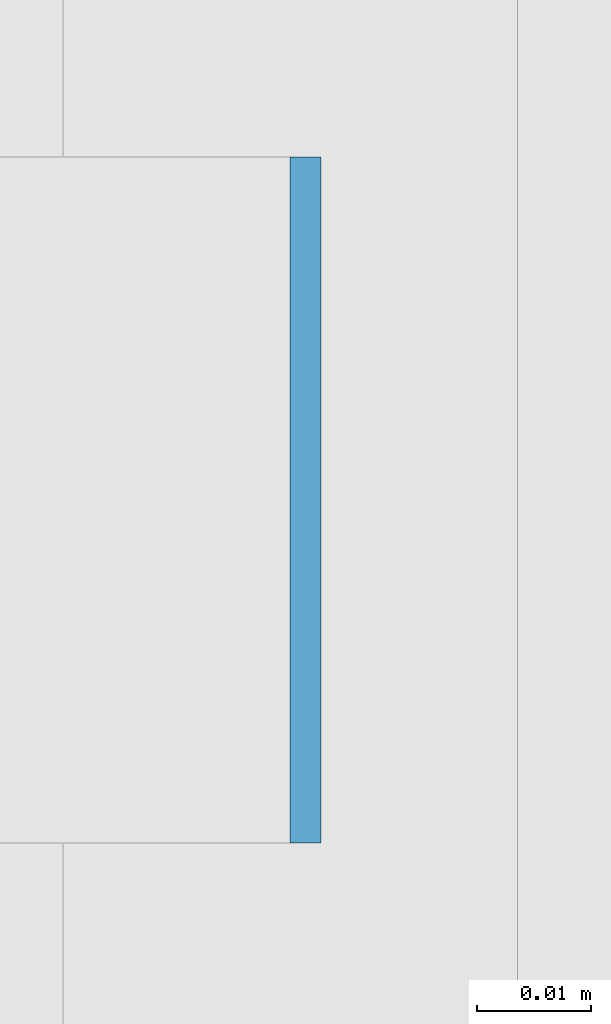
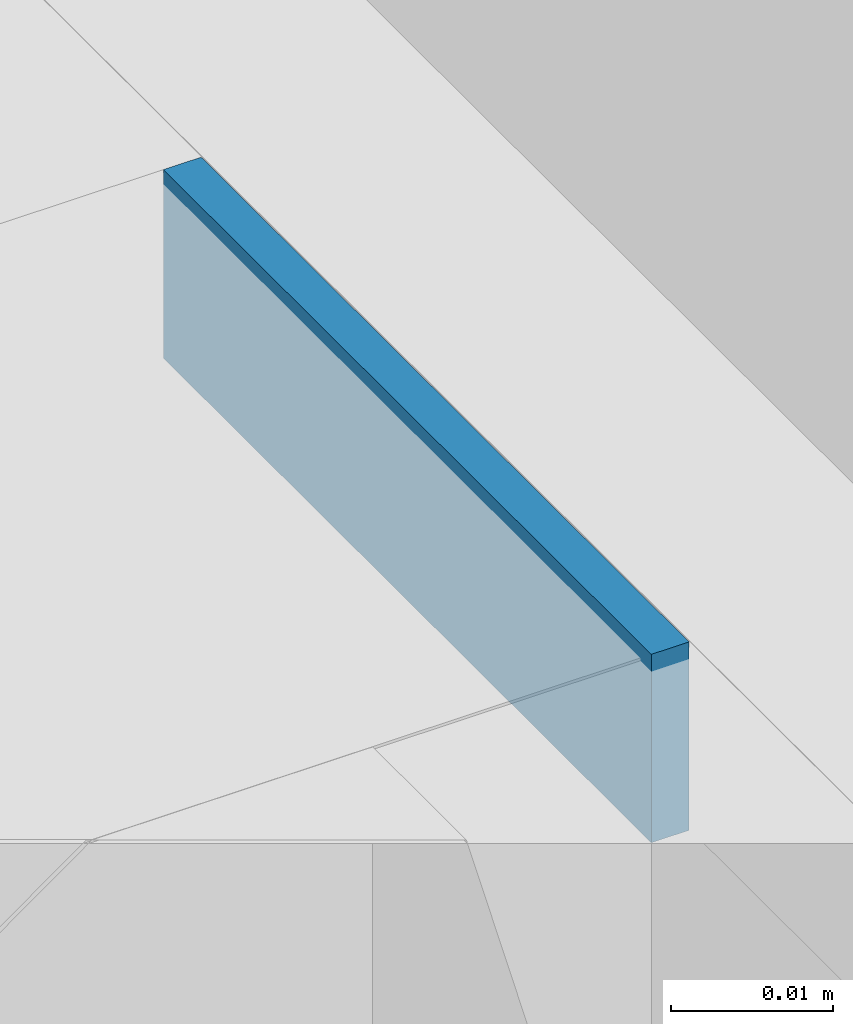
# One storey, part 289 of 646: 1 discrete accessory.
"""IFC4 building model written with IfcOpenShell, lengths in metres."""

from ifc_helpers import new_model, si_unit, direction, frame, origin, origin_2d, place, context, subcontext, project, spatial, rectangle, extrude, material, type_object, element, save


model = new_model("IFC4")

# Units and contexts
model_context = context("Model", 3, precision=1e-05, world=origin(), true_north=direction((0.0, 1.0)))
body_context = subcontext(model_context, "Body", "Model", "MODEL_VIEW")
ifc_project = project(units=[si_unit("LENGTHUNIT", "METRE"), si_unit("AREAUNIT", "SQUARE_METRE"), si_unit("VOLUMEUNIT", "CUBIC_METRE"), si_unit("PLANEANGLEUNIT", "RADIAN"), si_unit("MASSUNIT", "GRAM", prefix="KILO")], contexts=[model_context])

# Site, building, storey
site_placement = place(None, origin())
site = spatial("IfcSite", under=ifc_project, at=site_placement, CompositionType="ELEMENT")
building_placement = place(site_placement, origin())
building = spatial("IfcBuilding", under=site, at=building_placement, Name="Silverbay Arena", CompositionType="ELEMENT")
storey_placement = place(building_placement, frame((0.0, 0.0, 33.5)))
storey = spatial("IfcBuildingStorey", under=building, at=storey_placement, Name="L05", CompositionType="ELEMENT", Elevation=33.5)

# Discrete accessory
ifc_material = material(Name="Steel S355", Category="steel")
discrete_accessory_type = type_object("IfcDiscreteAccessoryType", Name="Steel bracket plate", PredefinedType="BRACKET", material=ifc_material)
discrete_accessory_placement = place(storey_placement, frame((53.871337890625, 56.571533203125, 12.98583984375), z_axis=(0.0, 0.0, 1.0), x_axis=(1.0, 0.0, 0.0)))
element("IfcDiscreteAccessory", 1, at=discrete_accessory_placement, inside=storey, type_object=discrete_accessory_type, Name="Curtain wall packing plate", PredefinedType="BRACKET", context=body_context, shape_type="SweptSolid", body=[
    extrude(rectangle(XDim=0.002685546875, YDim=0.06005859375, at=origin_2d()), origin(), (0.0, 0.0, 1.0), 0.01416015625),
])

save(model, "model.ifc")
